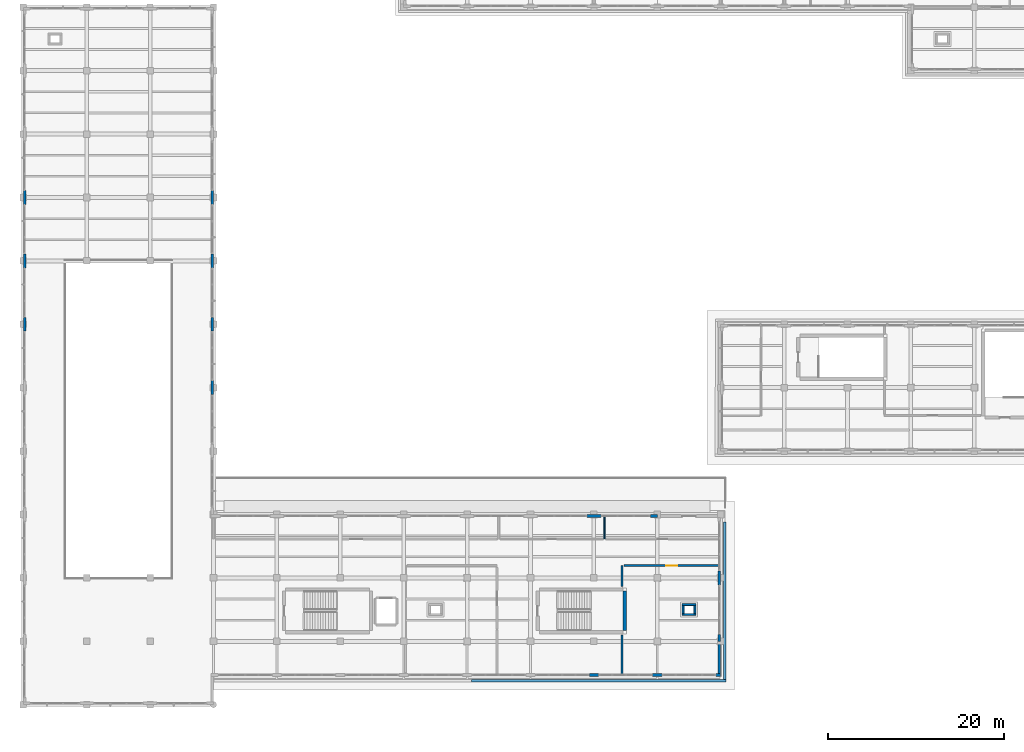
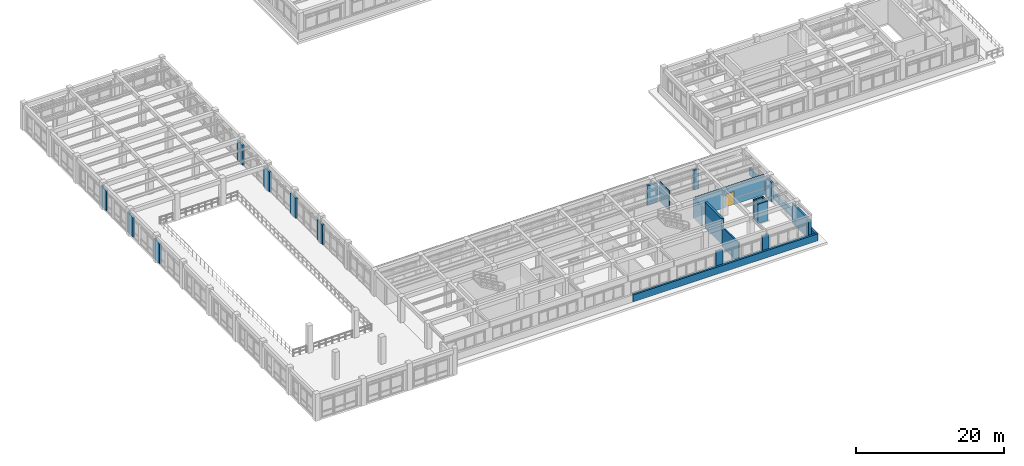
# One storey, part 47 of 64: 26 walls, 1 door, 1 opening.
"""IFC4 building model written with IfcOpenShell, lengths in metres."""

from ifc_helpers import new_model, si_unit, direction, frame, frame_2d, origin, place, context, subcontext, project, spatial, rectangle, extrude, material, layer, layer_set, type_object, element, fill, save


model = new_model("IFC4")

# Units and contexts
model_context = context("Model", 3, precision=1e-05, world=origin(), true_north=direction((0.0, 1.0)))
body_context = subcontext(model_context, "Body", "Model", "MODEL_VIEW")
ifc_project = project(units=[si_unit("LENGTHUNIT", "METRE"), si_unit("AREAUNIT", "SQUARE_METRE"), si_unit("VOLUMEUNIT", "CUBIC_METRE"), si_unit("PLANEANGLEUNIT", "RADIAN"), si_unit("MASSUNIT", "GRAM", prefix="KILO")], contexts=[model_context])

# Site, building, storey
site_placement = place(None, origin())
site = spatial("IfcSite", under=ifc_project, at=site_placement, CompositionType="ELEMENT")
building_placement = place(site_placement, origin())
building = spatial("IfcBuilding", under=site, at=building_placement, Name="Solenvale Faculty of Natural Sciences", CompositionType="ELEMENT")
storey_placement = place(building_placement, frame((0.0, 0.0, 18.0)))
storey = spatial("IfcBuildingStorey", under=building, at=storey_placement, Name="L04", CompositionType="ELEMENT", Elevation=18.0)

# Walls
ifc_material_1 = material(Name="Architectural bronze concrete 40 MPa", Category="concrete")
ifc_layer_1 = layer(ifc_material_1, 0.300048828125)
ifc_layer_set_1 = layer_set([ifc_layer_1], Name="Architectural bronze concrete 40 MPa")
wall_type_1 = type_object("IfcWallType", Name="WL-EXT-BRZ-300", PredefinedType="STANDARD", material=ifc_layer_set_1)
wall_1_placement = place(storey_placement, frame((115.666015625, 35.169921875, 0.0), z_axis=(0.0, 0.0, 1.0), x_axis=(0.000218397232, -0.999999976151, 0.0)))
element("IfcWall", 1, at=wall_1_placement, inside=storey, type_object=wall_type_1, Name="L04 Sliding-Tray Rough Bronze Concrete Band 1", PredefinedType="PARAPET", context=body_context, shape_type="SweptSolid", body=[
    extrude(rectangle(XDim=17.885986328125, YDim=0.300048828125, at=frame_2d((8.94287109375, 0.0))), origin(), (0.0, 0.0, 1.0), 1.179931640625),
])
wall_2_placement = place(storey_placement, frame((115.820068359375, 17.134033203125, 0.0), z_axis=(0.0, 0.0, 1.0), x_axis=(-0.999999989693, -0.000143577442, 0.0)))
element("IfcWall", 2, at=wall_2_placement, inside=storey, type_object=wall_type_1, Name="L04 Sliding-Tray Rough Bronze Concrete Band 2", PredefinedType="PARAPET", context=body_context, shape_type="SweptSolid", body=[
    extrude(rectangle(XDim=28.906982421875, YDim=0.300048828125, at=frame_2d((14.45361328125, 0.0))), origin(), (0.0, 0.0, 1.0), 1.179931640625),
])
ifc_layer_2 = layer(ifc_material_1, 0.324951171875)
ifc_layer_set_2 = layer_set([ifc_layer_2], Name="Architectural bronze concrete 40 MPa")
wall_type_2 = type_object("IfcWallType", Name="WL-EXT-BRZ-325", PredefinedType="STANDARD", material=ifc_layer_set_2)
for number, where, z_axis, x_axis, name in (
    (3, (100.281982421875, 17.762451171875, 0.0), (0.0, 0.0, 1.0), (1.0, 0.0, 0.0), "L04 Facade Closure Pier 6.B6-R"),
    (4, (107.48193359375, 17.762451171875, 0.0), (0.0, 0.0, 1.0), (1.0, 0.0, 0.0), "L04 Facade Closure Pier 6.B7-R"),
):
    element("IfcWall", number, at=place(storey_placement, frame(where, z_axis=z_axis, x_axis=x_axis)), inside=storey, type_object=wall_type_2, Name=name, PredefinedType="STANDARD", context=body_context, shape_type="SweptSolid", body=[
        extrude(rectangle(XDim=1.0361328125, YDim=0.324951171875, at=frame_2d((0.51806640625, 0.0))), origin(), (0.0, 0.0, 1.0), 3.260009765625),
    ])
wall_3_placement = place(storey_placement, frame((114.681884765625, 17.762451171875, 0.0), z_axis=(0.0, 0.0, 1.0), x_axis=(1.0, 0.0, 0.0)))
element("IfcWall", 5, at=wall_3_placement, inside=storey, type_object=wall_type_2, Name="L04 Facade Closure Pier 6.B8-R", PredefinedType="STANDARD", context=body_context, shape_type="SweptSolid", body=[
    extrude(rectangle(XDim=0.51806640625, YDim=0.324951171875, at=frame_2d((0.259033203125, 0.0))), origin(), (0.0, 0.0, 1.0), 3.260009765625),
])
wall_4_placement = place(storey_placement, frame((108.0, 35.83740234375, 0.0), z_axis=(0.0, 0.0, 1.0), x_axis=(-1.0, 0.0, 0.0)))
element("IfcWall", 6, at=wall_4_placement, inside=storey, type_object=wall_type_2, Name="L04 Facade Closure Pier 8.B2-L", PredefinedType="STANDARD", context=body_context, shape_type="SweptSolid", body=[
    extrude(rectangle(XDim=0.7880859375, YDim=0.324951171875, at=frame_2d((0.39404296875, 0.0))), origin(), (0.0, 0.0, 1.0), 3.260009765625),
])
wall_5_placement = place(storey_placement, frame((101.587890625, 35.83740234375, 0.0), z_axis=(0.0, 0.0, 1.0), x_axis=(-1.0, 0.0, 0.0)))
element("IfcWall", 7, at=wall_5_placement, inside=storey, type_object=wall_type_2, Name="L04 Facade Closure Pier 8.B2-R", PredefinedType="STANDARD", context=body_context, shape_type="SweptSolid", body=[
    extrude(rectangle(XDim=1.575927734375, YDim=0.324951171875, at=frame_2d((0.7880859375, 0.0))), origin(), (0.0, 0.0, 1.0), 3.260009765625),
])
ifc_material_2 = material(Name="Precast concrete 40 MPa", Category="concrete")
ifc_layer_3 = layer(ifc_material_2, 0.284912109375)
ifc_layer_set_3 = layer_set([ifc_layer_3], Name="Precast concrete 40 MPa")
wall_type_3 = type_object("IfcWallType", Name="WL-EXT-PRC-285", PredefinedType="STANDARD", material=ifc_layer_set_3)
for number, where, z_axis, x_axis, name in (
    (8, (57.45751953125, 49.612060546875, 0.0), (0.0, 0.0, 1.0), (0.0, 1.0, 0.0), "L04 Facade Closure Pier 1.B2-R"),
    (9, (57.45751953125, 56.81201171875, 0.0), (0.0, 0.0, 1.0), (0.0, 1.0, 0.0), "L04 Facade Closure Pier 1.B3-R"),
    (10, (57.45751953125, 64.011962890625, 0.0), (0.0, 0.0, 1.0), (0.0, 1.0, 0.0), "L04 Facade Closure Pier 1.B4-R"),
):
    element("IfcWall", number, at=place(storey_placement, frame(where, z_axis=z_axis, x_axis=x_axis)), inside=storey, type_object=wall_type_3, Name=name, PredefinedType="STANDARD", context=body_context, shape_type="SweptSolid", body=[
        extrude(rectangle(XDim=1.575927734375, YDim=0.284912109375, at=frame_2d((0.7880859375, 0.0))), origin(), (0.0, 0.0, 1.0), 3.260009765625),
    ])
for number, where, z_axis, x_axis, name in (
    (11, (57.45751953125, 71.2119140625, 0.0), (0.0, 0.0, 1.0), (0.0, 1.0, 0.0), "L04 Facade Closure Pier 1.B5-R"),
    (12, (36.142578125, 72.7880859375, 0.0), (0.0, 0.0, 1.0), (0.0, -1.0, 0.0), "L04 Facade Closure Pier 3.B3-R"),
):
    element("IfcWall", number, at=place(storey_placement, frame(where, z_axis=z_axis, x_axis=x_axis)), inside=storey, type_object=wall_type_3, Name=name, PredefinedType="STANDARD", context=body_context, shape_type="SweptSolid", body=[
        extrude(rectangle(XDim=1.576171875, YDim=0.284912109375, at=frame_2d((0.7880859375, 0.0))), origin(), (0.0, 0.0, 1.0), 3.260009765625),
    ])
for number, where, z_axis, x_axis, name in (
    (13, (36.142578125, 65.587890625, 0.0), (0.0, 0.0, 1.0), (0.0, -1.0, 0.0), "L04 Facade Closure Pier 3.B4-R"),
    (14, (36.142578125, 58.387939453125, 0.0), (0.0, 0.0, 1.0), (0.0, -1.0, 0.0), "L04 Facade Closure Pier 3.B5-R"),
):
    element("IfcWall", number, at=place(storey_placement, frame(where, z_axis=z_axis, x_axis=x_axis)), inside=storey, type_object=wall_type_3, Name=name, PredefinedType="STANDARD", context=body_context, shape_type="SweptSolid", body=[
        extrude(rectangle(XDim=1.575927734375, YDim=0.284912109375, at=frame_2d((0.7880859375, 0.0))), origin(), (0.0, 0.0, 1.0), 3.260009765625),
    ])
wall_6_placement = place(storey_placement, frame((115.0576171875, 21.60009765625, 0.0), z_axis=(0.0, 0.0, 1.0), x_axis=(0.0, 1.0, 0.0)))
element("IfcWall", 15, at=wall_6_placement, inside=storey, type_object=wall_type_3, Name="L04 Facade Closure Pier 7.B2-L", PredefinedType="STANDARD", context=body_context, shape_type="SweptSolid", body=[
    extrude(rectangle(XDim=0.787841796875, YDim=0.284912109375, at=frame_2d((0.39404296875, 0.0))), origin(), (0.0, 0.0, 1.0), 3.260009765625),
])
wall_7_placement = place(storey_placement, frame((115.0576171875, 28.011962890625, 0.0), z_axis=(0.0, 0.0, 1.0), x_axis=(0.0, 1.0, 0.0)))
element("IfcWall", 16, at=wall_7_placement, inside=storey, type_object=wall_type_3, Name="L04 Facade Closure Pier 7.B2-R", PredefinedType="STANDARD", context=body_context, shape_type="SweptSolid", body=[
    extrude(rectangle(XDim=1.575927734375, YDim=0.284912109375, at=frame_2d((0.7880859375, 0.0))), origin(), (0.0, 0.0, 1.0), 3.260009765625),
])
ifc_layer_4 = layer(ifc_material_2, 0.304931640625)
ifc_layer_set_4 = layer_set([ifc_layer_4], Name="Precast concrete 40 MPa")
wall_type_4 = type_object("IfcWallType", Name="WL-EXT-PRC-305", PredefinedType="STANDARD", material=ifc_layer_set_4)
wall_8_placement = place(storey_placement, frame((115.047607421875, 21.60009765625, 0.0), z_axis=(0.0, 0.0, 1.0), x_axis=(0.0, -1.0, 0.0)))
element("IfcWall", 17, at=wall_8_placement, inside=storey, type_object=wall_type_4, Name="L04 Exterior Wall 7.1", PredefinedType="STANDARD", context=body_context, shape_type="SweptSolid", body=[
    extrude(rectangle(XDim=3.675048828125, YDim=0.304931640625, at=frame_2d((1.83740234375, 0.0))), origin(), (0.0, 0.0, 1.0), 3.260009765625),
])
ifc_material_3 = material(Name="Gypsum fire-rated laboratory partition")
ifc_layer_5 = layer(ifc_material_3, 0.22802734375)
ifc_layer_set_5 = layer_set([ifc_layer_5], Name="Gypsum fire-rated laboratory partition")
wall_type_5 = type_object("IfcWallType", Name="WL-LAB-228", PredefinedType="PARTITIONING", material=ifc_layer_set_5)
wall_9_placement = place(storey_placement, frame((104.0, 17.802001953125, 0.0), z_axis=(0.0, 0.0, 1.0), x_axis=(0.0, 1.0, 0.0)))
element("IfcWall", 18, at=wall_9_placement, inside=storey, type_object=wall_type_5, Name="L04 Inorganic Chemistry Laboratory Partition 3", PredefinedType="PARTITIONING", context=body_context, shape_type="SweptSolid", body=[
    extrude(rectangle(XDim=4.491943359375, YDim=0.22802734375, at=frame_2d((2.24609375, 0.0))), origin(), (0.0, 0.0, 1.0), 3.260009765625),
])
wall_10_placement = place(storey_placement, frame((104.0, 27.805908203125, 0.0), z_axis=(0.0, 0.0, 1.0), x_axis=(0.0, 1.0, 0.0)))
element("IfcWall", 19, at=wall_10_placement, inside=storey, type_object=wall_type_5, Name="L04 Inorganic Chemistry Laboratory Partition 39", PredefinedType="PARTITIONING", context=body_context, shape_type="SweptSolid", body=[
    extrude(rectangle(XDim=2.3740234375, YDim=0.22802734375, at=frame_2d((1.18701171875, 0.0))), origin(), (0.0, 0.0, 1.0), 3.260009765625),
])

# Wall, opening, door
wall_11_placement = place(storey_placement, frame((104.239990234375, 30.179931640625, 0.0), z_axis=(0.0, 0.0, 1.0), x_axis=(1.0, 0.0, 0.0)))
wall_11 = element("IfcWall", 20, at=wall_11_placement, inside=storey, type_object=wall_type_5, Name="L04 Inorganic Chemistry Laboratory Partition 40", PredefinedType="PARTITIONING", context=body_context, shape_type="SweptSolid", body=[
    extrude(rectangle(XDim=10.777099609375, YDim=0.22802734375, at=frame_2d((5.388671875, 0.0))), origin(), (0.0, 0.0, 1.0), 3.260009765625),
])
opening_placement = place(wall_11_placement, frame((4.7490234375, 0.0, 0.0)))
opening = element("IfcOpeningElement", 21, at=opening_placement, cuts=wall_11, Name="Opening D-L04-04", PredefinedType="OPENING", context=body_context, shape_type="SweptSolid", body=[
    extrude(rectangle(XDim=1.280029296875, YDim=2.14990234375, at=frame_2d((0.64013671875, 1.074951171875))), frame((0.0, 0.1240234375, 0.0), z_axis=(0.0, -1.0, 0.0), x_axis=(1.0, 0.0, 0.0)), (0.0, 0.0, 1.0), 0.248046875),
])
ifc_material_4 = material(Name="Oak acoustic timber leaf", Category="wood")
door_type = type_object("IfcDoorType", Name="DR-LAB-1280x2150", OperationType="NOTDEFINED", PredefinedType="DOOR", material=ifc_material_4)
door_placement = place(opening_placement, origin())
door = element("IfcDoor", 22, at=door_placement, inside=storey, type_object=door_type, Name="L04 Inorganic Chemistry Laboratory Door", OperationType="SINGLE_SWING_RIGHT", OverallHeight=2.14990234375, OverallWidth=1.280029296875, PredefinedType="DOOR", context=body_context, shape_type="SweptSolid", body=[
    extrude(rectangle(XDim=1.280029296875, YDim=2.14990234375, at=frame_2d((0.64013671875, 1.074951171875))), frame((0.0, 0.02490234375, 0.0), z_axis=(0.0, -1.0, 0.0), x_axis=(1.0, 0.0, 0.0)), (0.0, 0.0, 1.0), 0.050048828125),
])
fill(opening, door)

# Walls
ifc_material_5 = material(Name="Acoustic stud gypsum partition")
ifc_layer_6 = layer(ifc_material_5, 0.125)
ifc_layer_set_6 = layer_set([ifc_layer_6], Name="Acoustic stud gypsum partition")
wall_type_6 = type_object("IfcWallType", Name="WL-OFF-125", PredefinedType="PARTITIONING", material=ifc_layer_set_6)
wall_12_placement = place(storey_placement, frame((102.0, 35.797119140625, 0.0), z_axis=(0.0, 0.0, 1.0), x_axis=(0.0, -1.0, 0.0)))
element("IfcWall", 23, at=wall_12_placement, inside=storey, type_object=wall_type_6, Name="L04 Graduate Research Office Partition 3", PredefinedType="PARTITIONING", context=body_context, shape_type="SweptSolid", body=[
    extrude(rectangle(XDim=2.5771484375, YDim=0.125, at=frame_2d((1.28857421875, 0.0))), origin(), (0.0, 0.0, 1.0), 3.260009765625),
])
ifc_material_6 = material(Name="Concrete 40 MPa", Category="concrete")
ifc_layer_7 = layer(ifc_material_6, 0.219970703125)
ifc_layer_set_7 = layer_set([ifc_layer_7], Name="Concrete 40 MPa")
wall_type_7 = type_object("IfcWallType", Name="WL-SHF-220", PredefinedType="STANDARD", material=ifc_layer_set_7)
for number, where, z_axis, x_axis, name in (
    (24, (110.830078125, 24.639892578125, 0.0), (0.0, 0.0, 1.0), (1.0, 0.0, 0.0), "L04 Service Riser Shaft 3 Wall S"),
    (25, (110.830078125, 25.760009765625, 0.0), (0.0, 0.0, 1.0), (1.0, 0.0, 0.0), "L04 Service Riser Shaft 3 Wall N"),
):
    element("IfcWall", number, at=place(storey_placement, frame(where, z_axis=z_axis, x_axis=x_axis)), inside=storey, type_object=wall_type_7, Name=name, PredefinedType="STANDARD", context=body_context, shape_type="SweptSolid", body=[
        extrude(rectangle(XDim=1.5400390625, YDim=0.219970703125, at=frame_2d((0.77001953125, 0.0))), origin(), (0.0, 0.0, 1.0), 3.260009765625),
    ])
for number, where, z_axis, x_axis, name in (
    (26, (110.93994140625, 24.75, 0.0), (0.0, 0.0, 1.0), (0.0, 1.0, 0.0), "L04 Service Riser Shaft 3 Wall W"),
    (27, (112.260009765625, 24.75, 0.0), (0.0, 0.0, 1.0), (0.0, 1.0, 0.0), "L04 Service Riser Shaft 3 Wall E"),
):
    element("IfcWall", number, at=place(storey_placement, frame(where, z_axis=z_axis, x_axis=x_axis)), inside=storey, type_object=wall_type_7, Name=name, PredefinedType="STANDARD", context=body_context, shape_type="SweptSolid", body=[
        extrude(rectangle(XDim=0.89990234375, YDim=0.219970703125, at=frame_2d((0.449951171875, 0.0))), origin(), (0.0, 0.0, 1.0), 3.260009765625),
    ])
ifc_material_7 = material(Name="Concrete 50 MPa", Category="concrete")
ifc_layer_8 = layer(ifc_material_7, 0.3798828125)
ifc_layer_set_8 = layer_set([ifc_layer_8], Name="Concrete 50 MPa")
wall_type_8 = type_object("IfcWallType", Name="WL-SHR-380", PredefinedType="SHEAR", material=ifc_layer_set_8)
wall_13_placement = place(storey_placement, frame((104.2900390625, 22.800048828125, 0.0), z_axis=(0.0, 0.0, 1.0), x_axis=(0.0, 1.0, 0.0)))
element("IfcWall", 28, at=wall_13_placement, inside=storey, type_object=wall_type_8, Name="Core C3B L04 Shear Wall E", PredefinedType="SHEAR", context=body_context, shape_type="SweptSolid", body=[
    extrude(rectangle(XDim=4.5, YDim=0.3798828125, at=frame_2d((2.25, 0.0))), origin(), (0.0, 0.0, 1.0), 4.219970703125),
])

save(model, "model.ifc")
